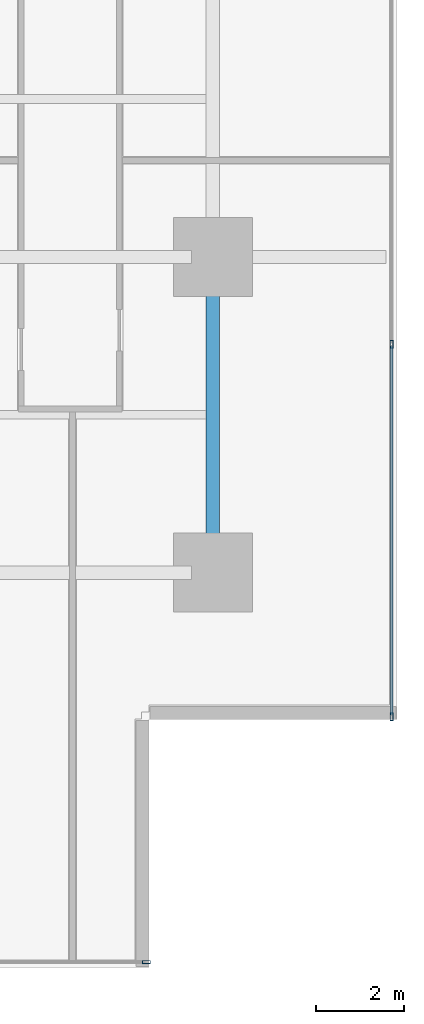
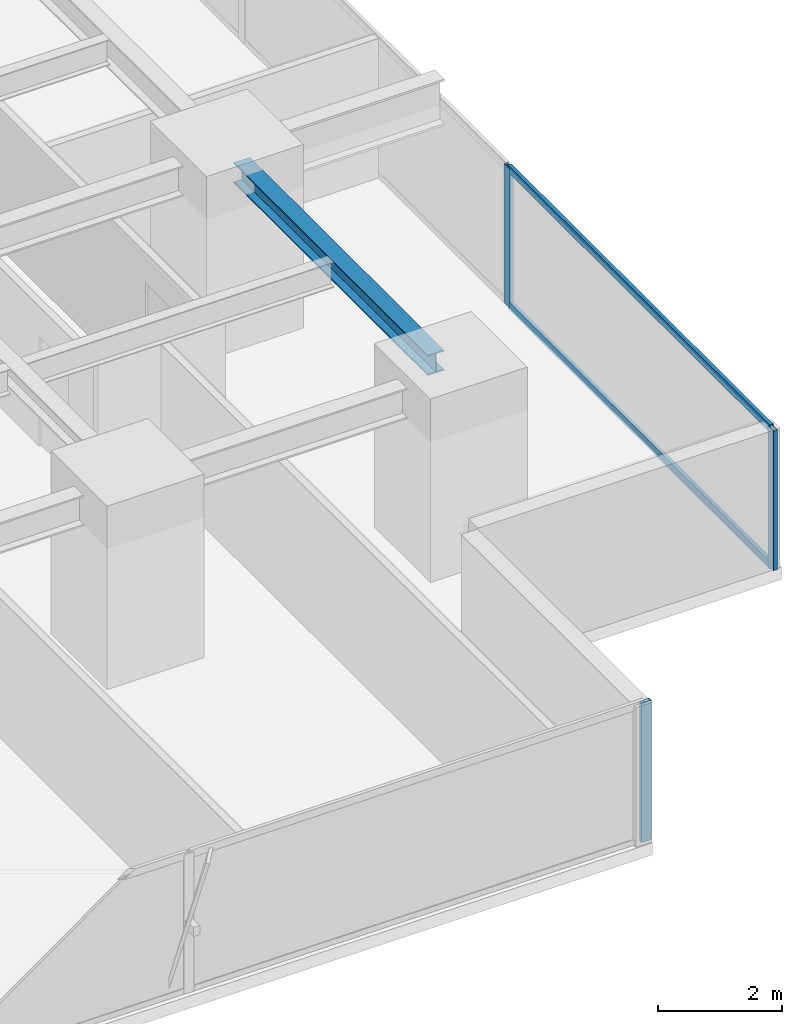
# One storey, part 13 of 34: 5 members, 1 beam, 2 elements without a shape of their own.
"""IFC4 building model written with IfcOpenShell, lengths in metres."""

from ifc_helpers import new_model, si_unit, direction, frame, origin, origin_2d, place, context, subcontext, project, spatial, hollow_rectangle, i_section, extrude, source, transform, mapped, material, layer, layer_set, material_profile, profile_set, type_object, element, aggregate, save


model = new_model("IFC4")

# Units and contexts
model_context = context("Model", 3, precision=1e-05, world=origin(), true_north=direction((0.0, 1.0)))
body_context = subcontext(model_context, "Body", "Model", "MODEL_VIEW")
ifc_project = project(units=[si_unit("LENGTHUNIT", "METRE"), si_unit("AREAUNIT", "SQUARE_METRE"), si_unit("VOLUMEUNIT", "CUBIC_METRE"), si_unit("PLANEANGLEUNIT", "RADIAN"), si_unit("MASSUNIT", "GRAM", prefix="KILO")], contexts=[model_context])

# Site, building, storey
site_placement = place(None, origin())
site = spatial("IfcSite", under=ifc_project, at=site_placement, CompositionType="ELEMENT")
building_placement = place(site_placement, origin())
building = spatial("IfcBuilding", under=site, at=building_placement, Name="Sumidabori Civic Tower", CompositionType="ELEMENT")
storey_placement = place(building_placement, frame((0.0, 0.0, 41.60009765625)))
storey = spatial("IfcBuildingStorey", under=building, at=storey_placement, Name="L10", CompositionType="ELEMENT", Elevation=41.60009765625)

# Beam
ifc_material_1 = material(Name="Steel SN490", Category="steel")
ifc_material_profile_1 = material_profile(ifc_material_1, i_section(OverallWidth=0.300048828125, OverallDepth=0.39990234375, WebThickness=0.013427734375, FlangeThickness=0.02392578125, at=origin_2d()), Name="HE 400 B")
ifc_profile_set_1 = profile_set([ifc_material_profile_1], Name="Steel SN490")
beam_type = type_object("IfcBeamType", Name="BM-GIRD-400", PredefinedType="BEAM", material=ifc_profile_set_1)
shared_shape_1 = source(origin(), body_context, "Body", "SweptSolid", [
    extrude(i_section(OverallWidth=0.300048828125, OverallDepth=0.39990234375, WebThickness=0.013427734375, FlangeThickness=0.02392578125, at=origin_2d()), origin(), (0.0, 0.0, 1.0), 6.239990234375),
])
beam_placement = place(storey_placement, frame((22.800048828125, -17.52001953125, 3.159912109375), z_axis=(0.0, 1.0, 0.0), x_axis=(-1.0, 0.0, 0.0)))
element("IfcBeam", 1, at=beam_placement, inside=storey, type_object=beam_type, Name="Primary Girder L10 GY-39", PredefinedType="BEAM", context=body_context, shape_type="MappedRepresentation", body=[
    mapped(shared_shape_1, transform((0.0, 0.0, 0.0), x_axis=(1.0, 0.0, 0.0), y_axis=(0.0, 1.0, 0.0), z_axis=(0.0, 0.0, 1.0), scale=1.0)),
])

# Curtain wall, member
ifc_material_2 = material(Name="Anodised Bronze Aluminium AW-6063-T6", Category="aluminium")
ifc_layer = layer(ifc_material_2, 0.179931640625, Name="Anodised Bronze Aluminium AW-6063-T6")
ifc_layer_set = layer_set([ifc_layer], Name="Anodised Bronze Aluminium AW-6063-T6")
curtain_wall_type = type_object("IfcCurtainWallType", Name="CW-SYS-2", PredefinedType="NOTDEFINED", material=ifc_layer_set)
curtain_wall_1_placement = place(storey_placement, origin())
curtain_wall_1 = element("IfcCurtainWall", 2, at=curtain_wall_1_placement, inside=storey, type_object=curtain_wall_type, Name="Curtain Wall CW:L10:R01", PredefinedType="NOTDEFINED")
ifc_material_profile_2 = material_profile(ifc_material_2, hollow_rectangle(XDim=0.070068359375, YDim=0.179931640625, WallThickness=0.006103515625, at=origin_2d()), Name="ALU MULLION 180x70")
ifc_profile_set_2 = profile_set([ifc_material_profile_2], Name="Anodised Bronze Aluminium AW-6063-T6")
member_type_1 = type_object("IfcMemberType", Name="CW-MUL-180", PredefinedType="MULLION", material=ifc_profile_set_2)
shared_shape_2 = source(origin(), body_context, "Body", "SweptSolid", [
    extrude(hollow_rectangle(XDim=0.070068359375, YDim=0.179931640625, WallThickness=0.006103515625, at=origin_2d()), origin(), (0.0, 0.0, 1.0), 2.739990234375),
])
member_1_placement = place(storey_placement, frame((21.284912109375, -26.8798828125, 0.0), z_axis=(0.0, 0.0, 1.0), x_axis=(0.0, 1.0, 0.0)))
member_1 = element("IfcMember", 3, at=member_1_placement, type_object=member_type_1, Name="CW-2 mullion 6", PredefinedType="MULLION", context=body_context, shape_type="MappedRepresentation", body=[
    mapped(shared_shape_2, transform((0.0, 0.0, 0.0), x_axis=(1.0, 0.0, 0.0), y_axis=(0.0, 1.0, 0.0), z_axis=(0.0, 0.0, 1.0), scale=1.0)),
])
aggregate(curtain_wall_1, [member_1])

# Curtain wall, members
curtain_wall_2_placement = place(storey_placement, origin())
curtain_wall_2 = element("IfcCurtainWall", 4, at=curtain_wall_2_placement, inside=storey, type_object=curtain_wall_type, Name="Curtain Wall CW:L10:R04", PredefinedType="NOTDEFINED")
member_2_placement = place(storey_placement, frame((26.8798828125, -21.284912109375, 0.0), z_axis=(0.0, 0.0, 1.0), x_axis=(-1.0, 0.0, 0.0)))
member_2 = element("IfcMember", 5, at=member_2_placement, type_object=member_type_1, Name="CW-2 mullion 1", PredefinedType="MULLION", context=body_context, shape_type="MappedRepresentation", body=[
    mapped(shared_shape_2, transform((0.0, 0.0, 0.0), x_axis=(1.0, 0.0, 0.0), y_axis=(0.0, 1.0, 0.0), z_axis=(0.0, 0.0, 1.0), scale=1.0)),
])
member_3_placement = place(storey_placement, frame((26.8798828125, -12.7919921875, 0.0), z_axis=(0.0, 0.0, 1.0), x_axis=(-1.0, 0.0, 0.0)))
member_3 = element("IfcMember", 6, at=member_3_placement, type_object=member_type_1, Name="CW-2 mullion 2", PredefinedType="MULLION", context=body_context, shape_type="MappedRepresentation", body=[
    mapped(shared_shape_2, transform((0.0, 0.0, 0.0), x_axis=(1.0, 0.0, 0.0), y_axis=(0.0, 1.0, 0.0), z_axis=(0.0, 0.0, 1.0), scale=1.0)),
])
ifc_material_profile_3 = material_profile(ifc_material_2, hollow_rectangle(XDim=0.06494140625, YDim=0.14990234375, WallThickness=0.0048828125, at=origin_2d()), Name="ALU TRANSOM 150x65")
ifc_profile_set_3 = profile_set([ifc_material_profile_3], Name="Anodised Bronze Aluminium AW-6063-T6")
member_type_2 = type_object("IfcMemberType", Name="CW-TRN-150", PredefinedType="USERDEFINED", material=ifc_profile_set_3)
shared_shape_3 = source(origin(), body_context, "Body", "SweptSolid", [
    extrude(hollow_rectangle(XDim=0.06494140625, YDim=0.14990234375, WallThickness=0.0048828125, at=origin_2d()), origin(), (0.0, 0.0, 1.0), 8.423095703125),
])
member_4_placement = place(storey_placement, frame((26.8798828125, -21.25, 0.032470703125), z_axis=(0.0, 1.0, 0.0), x_axis=(-1.0, 0.0, 0.0)))
member_4 = element("IfcMember", 7, at=member_4_placement, type_object=member_type_2, Name="CW-2 transom 1.1", ObjectType="TRANSOM", PredefinedType="USERDEFINED", context=body_context, shape_type="MappedRepresentation", body=[
    mapped(shared_shape_3, transform((0.0, 0.0, 0.0), x_axis=(1.0, 0.0, 0.0), y_axis=(0.0, 1.0, 0.0), z_axis=(0.0, 0.0, 1.0), scale=1.0)),
])
member_5_placement = place(storey_placement, frame((26.8798828125, -21.25, 2.70751953125), z_axis=(0.0, 1.0, 0.0), x_axis=(-1.0, 0.0, 0.0)))
member_5 = element("IfcMember", 8, at=member_5_placement, type_object=member_type_2, Name="CW-2 transom 1.2", ObjectType="TRANSOM", PredefinedType="USERDEFINED", context=body_context, shape_type="MappedRepresentation", body=[
    mapped(shared_shape_3, transform((0.0, 0.0, 0.0), x_axis=(1.0, 0.0, 0.0), y_axis=(0.0, 1.0, 0.0), z_axis=(0.0, 0.0, 1.0), scale=1.0)),
])
aggregate(curtain_wall_2, [member_2, member_3, member_4, member_5])

save(model, "model.ifc")
